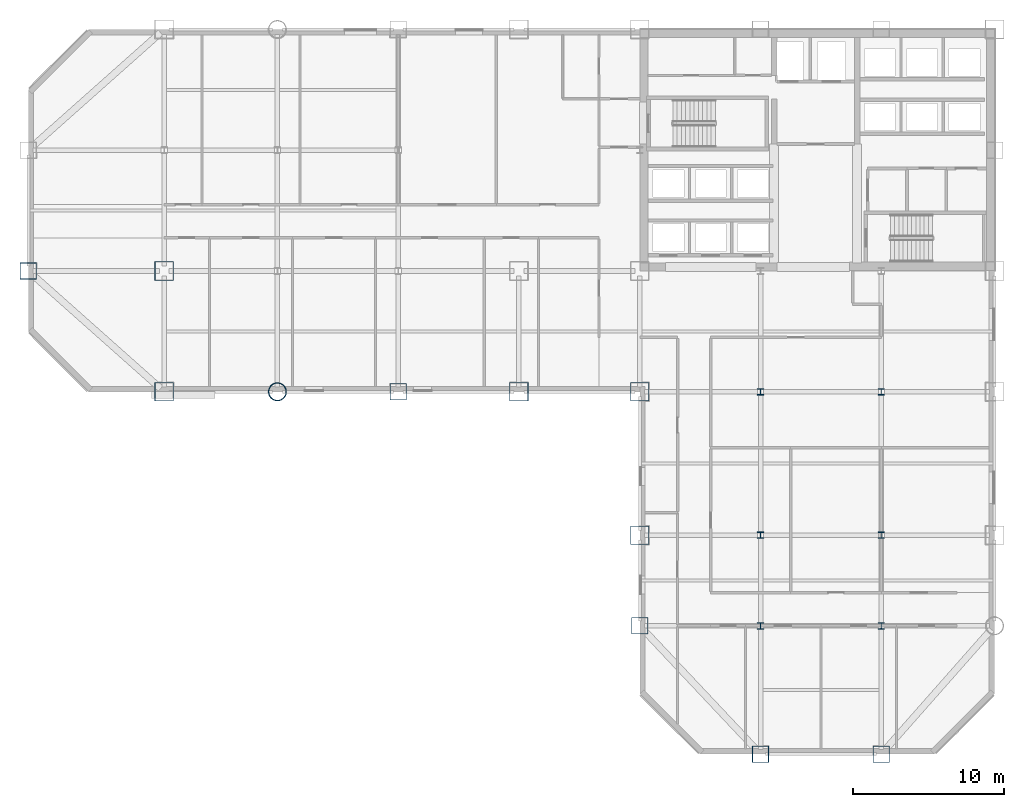
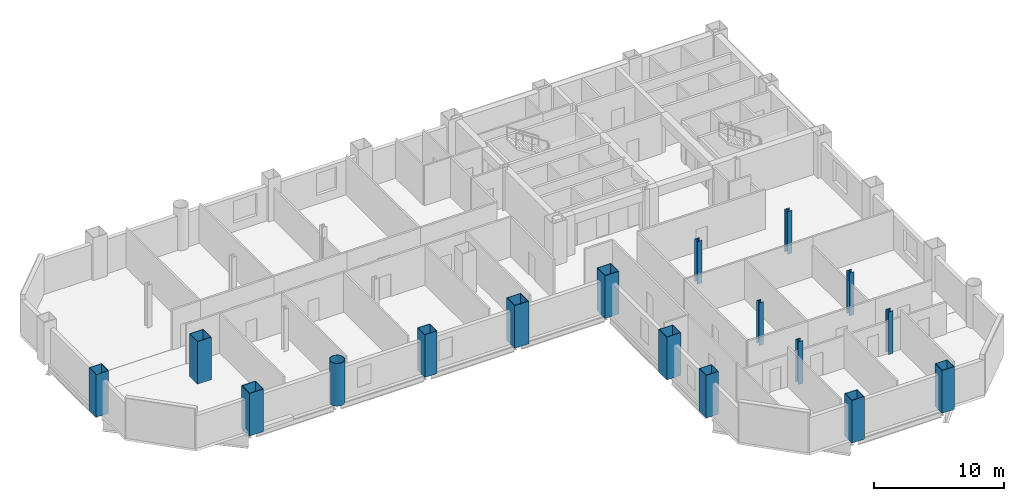
# One storey, part 1 of 9: 17 columns.
"""IFC4 building model written with IfcOpenShell, lengths in metres."""

from ifc_helpers import new_model, si_unit, direction, frame, origin, origin_2d, place, context, subcontext, project, spatial, hollow_rectangle, hollow_circle, i_section, extrude, material, material_profile, profile_set, type_object, element, save


model = new_model("IFC4")

# Units and contexts
model_context = context("Model", 3, precision=1e-05, world=origin(), true_north=direction((0.0, 1.0)))
body_context = subcontext(model_context, "Body", "Model", "MODEL_VIEW")
ifc_project = project(units=[si_unit("LENGTHUNIT", "METRE"), si_unit("AREAUNIT", "SQUARE_METRE"), si_unit("VOLUMEUNIT", "CUBIC_METRE"), si_unit("PLANEANGLEUNIT", "RADIAN"), si_unit("MASSUNIT", "GRAM", prefix="KILO")], contexts=[model_context])

# Site, building, storey
site_placement = place(None, origin())
site = spatial("IfcSite", under=ifc_project, at=site_placement, CompositionType="ELEMENT")
building_placement = place(site_placement, origin())
building = spatial("IfcBuilding", under=site, at=building_placement, Name="Qianrong Seaharbour Tower", CompositionType="ELEMENT")
storey_placement = place(building_placement, frame((0.0, 0.0, 92.199951171875)))
storey = spatial("IfcBuildingStorey", under=building, at=storey_placement, Name="L22", CompositionType="ELEMENT", Elevation=92.199951171875)

# Columns
ifc_material = material(Name="Structural steel SN490B", Category="steel")
ifc_material_profile_1 = material_profile(ifc_material, hollow_rectangle(XDim=1.25, YDim=1.25, WallThickness=0.044921875, at=origin_2d()), Name="BOX1250x1250x45")
ifc_profile_set_1 = profile_set([ifc_material_profile_1], Name="Structural steel SN490B")
column_type_1 = type_object("IfcColumnType", Name="COL-CFT-1250", PredefinedType="COLUMN", material=ifc_profile_set_1)
for number, where, z_axis, x_axis, name in (
    (1, (9.0, 28.0, 0.0), (0.0, 0.0, 1.0), (1.0, 0.0, 0.0), "L22 Column MC-2 at G2/GE"),
    (2, (9.0, 36.0, 0.0), (0.0, 0.0, 1.0), (1.0, 0.0, 0.0), "L22 Column MC-2 at G2/GF"),
    (3, (32.5, 28.0, 0.0), (0.0, 0.0, 1.0), (1.0, 0.0, 0.0), "L22 Column MC-2 at G5/GE"),
    (4, (40.5, 18.5, 0.0), (0.0, 0.0, 1.0), (1.0, 0.0, 0.0), "L22 Column MC-2 at G6/GD"),
    (5, (40.5, 28.0, 0.0), (0.0, 0.0, 1.0), (1.0, 0.0, 0.0), "L22 Column MC-2 at G6/GE"),
):
    element("IfcColumn", number, at=place(storey_placement, frame(where, z_axis=z_axis, x_axis=x_axis)), inside=storey, type_object=column_type_1, Name=name, PredefinedType="COLUMN", context=body_context, shape_type="SweptSolid", body=[
        extrude(hollow_rectangle(XDim=1.25, YDim=1.25, WallThickness=0.044921875, at=origin_2d()), origin(), (0.0, 0.0, 1.0), 4.0),
    ])
ifc_material_profile_2 = material_profile(ifc_material, hollow_circle(Radius=0.60009765625, WallThickness=0.0400390625, at=origin_2d()), Name="CHS1200x40")
ifc_profile_set_2 = profile_set([ifc_material_profile_2], Name="Structural steel SN490B")
column_type_2 = type_object("IfcColumnType", Name="COL-CHS-1200", PredefinedType="COLUMN", material=ifc_profile_set_2)
column_placement = place(storey_placement, frame((16.5, 28.0, 0.0), z_axis=(0.0, 0.0, 1.0), x_axis=(1.0, 0.0, 0.0)))
element("IfcColumn", 6, at=column_placement, inside=storey, type_object=column_type_2, Name="L22 Column CC-1 at G3/GE", PredefinedType="COLUMN", context=body_context, shape_type="SweptSolid", body=[
    extrude(hollow_circle(Radius=0.60009765625, WallThickness=0.0400390625, at=origin_2d()), origin(), (0.0, 0.0, 1.0), 4.0),
])
ifc_material_profile_3 = material_profile(ifc_material, i_section(OverallWidth=0.406982421875, OverallDepth=0.427978515625, WebThickness=0.02001953125, FlangeThickness=0.034912109375, FilletRadius=0.02197265625, at=origin_2d()), Name="H428x407x20x35")
ifc_profile_set_3 = profile_set([ifc_material_profile_3], Name="Structural steel SN490B")
column_type_3 = type_object("IfcColumnType", Name="COL-INT-H428", PredefinedType="COLUMN", material=ifc_profile_set_3)
for number, where, z_axis, x_axis, name in (
    (7, (48.5, 12.5, 0.0), (0.0, 0.0, 1.0), (1.0, 0.0, 0.0), "L22 Column IC-2 at G7/GC"),
    (8, (48.5, 18.5, 0.0), (0.0, 0.0, 1.0), (1.0, 0.0, 0.0), "L22 Column IC-2 at G7/GD"),
    (9, (48.5, 28.0, 0.0), (0.0, 0.0, 1.0), (1.0, 0.0, 0.0), "L22 Column IC-2 at G7/GE"),
    (10, (56.5, 12.5, 0.0), (0.0, 0.0, 1.0), (1.0, 0.0, 0.0), "L22 Column IC-2 at G8/GC"),
    (11, (56.5, 18.5, 0.0), (0.0, 0.0, 1.0), (1.0, 0.0, 0.0), "L22 Column IC-2 at G8/GD"),
    (12, (56.5, 28.0, 0.0), (0.0, 0.0, 1.0), (1.0, 0.0, 0.0), "L22 Column IC-2 at G8/GE"),
):
    element("IfcColumn", number, at=place(storey_placement, frame(where, z_axis=z_axis, x_axis=x_axis)), inside=storey, type_object=column_type_3, Name=name, PredefinedType="COLUMN", context=body_context, shape_type="SweptSolid", body=[
        extrude(i_section(OverallWidth=0.406982421875, OverallDepth=0.427978515625, WebThickness=0.02001953125, FlangeThickness=0.034912109375, FilletRadius=0.02197265625, at=origin_2d()), origin(), (0.0, 0.0, 1.0), 4.0),
    ])
ifc_material_profile_4 = material_profile(ifc_material, hollow_rectangle(XDim=1.10009765625, YDim=1.10009765625, WallThickness=0.0400390625, at=origin_2d()), Name="BOX1100x1100x40")
ifc_profile_set_4 = profile_set([ifc_material_profile_4], Name="Structural steel SN490B")
column_type_4 = type_object("IfcColumnType", Name="COL-PER-1100", PredefinedType="COLUMN", material=ifc_profile_set_4)
for number, where, z_axis, x_axis, name in (
    (13, (0.0, 36.0, 0.0), (0.0, 0.0, 1.0), (1.0, 0.0, 0.0), "L22 Column PC-1 at G1/GF"),
    (14, (24.5, 28.0, 0.0), (0.0, 0.0, 1.0), (1.0, 0.0, 0.0), "L22 Column PC-1 at G4/GE"),
    (15, (40.5, 12.5, 0.0), (0.0, 0.0, 1.0), (1.0, 0.0, 0.0), "L22 Column PC-1 at G6/GC"),
    (16, (48.5, 4.0, 0.0), (0.0, 0.0, 1.0), (1.0, 0.0, 0.0), "L22 Column PC-1 at G7/GB"),
    (17, (56.5, 4.0, 0.0), (0.0, 0.0, 1.0), (1.0, 0.0, 0.0), "L22 Column PC-1 at G8/GB"),
):
    element("IfcColumn", number, at=place(storey_placement, frame(where, z_axis=z_axis, x_axis=x_axis)), inside=storey, type_object=column_type_4, Name=name, PredefinedType="COLUMN", context=body_context, shape_type="SweptSolid", body=[
        extrude(hollow_rectangle(XDim=1.10009765625, YDim=1.10009765625, WallThickness=0.0400390625, at=origin_2d()), origin(), (0.0, 0.0, 1.0), 4.0),
    ])

save(model, "model.ifc")
